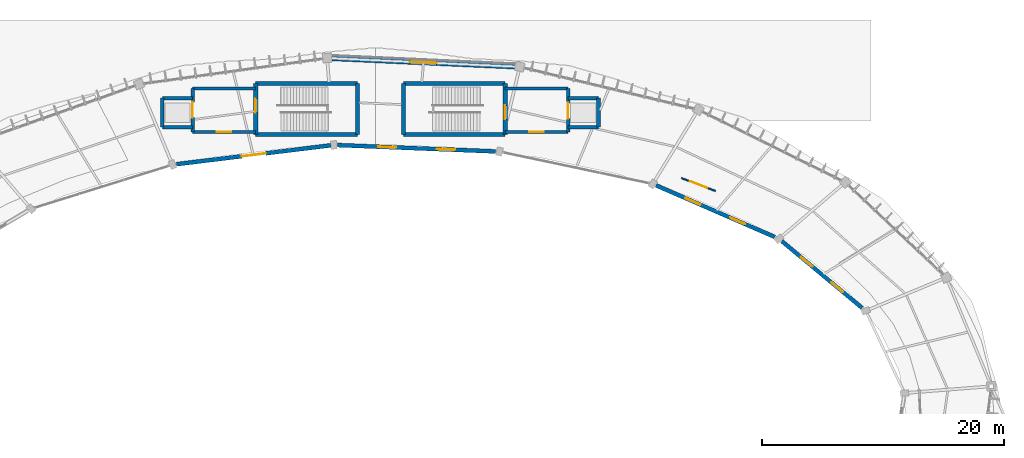
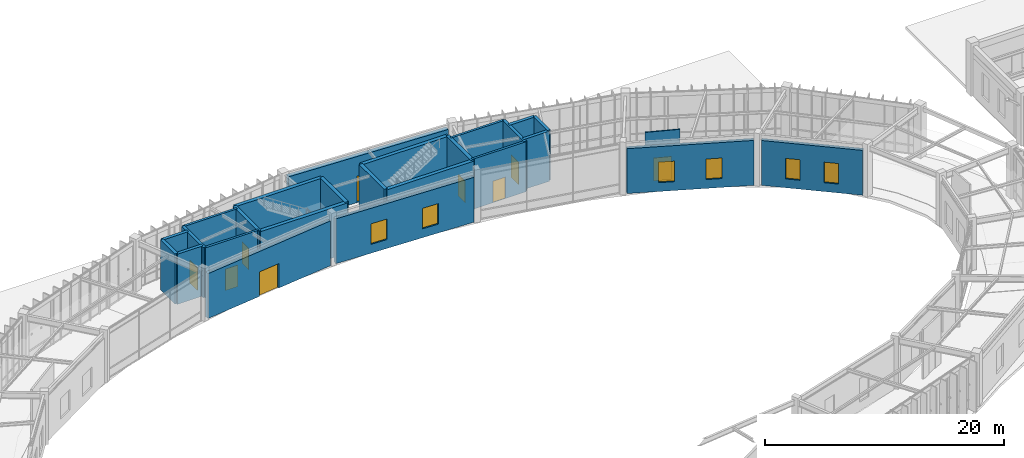
# One storey, part 131 of 157: 26 walls, 9 doors, 6 windows, 15 openings.
"""IFC4 building model written with IfcOpenShell, lengths in metres."""

from ifc_helpers import new_model, si_unit, direction, frame, frame_2d, origin, place, context, subcontext, project, spatial, rectangle, extrude, material, layer, layer_set, type_object, element, fill, save


model = new_model("IFC4")

# Units and contexts
model_context = context("Model", 3, precision=1e-05, world=origin(), true_north=direction((0.0, 1.0)))
body_context = subcontext(model_context, "Body", "Model", "MODEL_VIEW")
ifc_project = project(units=[si_unit("LENGTHUNIT", "METRE"), si_unit("AREAUNIT", "SQUARE_METRE"), si_unit("VOLUMEUNIT", "CUBIC_METRE"), si_unit("PLANEANGLEUNIT", "RADIAN"), si_unit("MASSUNIT", "GRAM", prefix="KILO"), si_unit("THERMODYNAMICTEMPERATUREUNIT", "KELVIN"), si_unit("POWERUNIT", "WATT")], contexts=[model_context])

# Site, building, storey
site_placement = place(None, origin())
site = spatial("IfcSite", under=ifc_project, at=site_placement, CompositionType="ELEMENT")
building_placement = place(site_placement, origin())
building = spatial("IfcBuilding", under=site, at=building_placement, Name="Darbajah Civic Hall", CompositionType="ELEMENT")
storey_placement = place(building_placement, origin())
storey = spatial("IfcBuildingStorey", under=building, at=storey_placement, Name="L00", CompositionType="ELEMENT", Elevation=0.0)

# Wall, opening, door
ifc_material_1 = material(Name="Concrete C45/55", Category="concrete")
ifc_layer_1 = layer(ifc_material_1, 0.300048828125, Name="Concrete C45/55")
ifc_layer_set_1 = layer_set([ifc_layer_1], Name="Concrete C45/55")
wall_type_1 = type_object("IfcWallType", Name="Core Shear Wall 300mm", PredefinedType="SHEAR", material=ifc_layer_set_1)
wall_1_placement = place(storey_placement, frame((74.0, 116.699951171875, 0.0), z_axis=(0.0, 0.0, 1.0), x_axis=(0.0, -1.0, 0.0)))
wall_1 = element("IfcWall", 1, at=wall_1_placement, inside=storey, type_object=wall_type_1, Name="L00 firefighting lobby C01 wall W", PredefinedType="SHEAR", context=body_context, shape_type="SweptSolid", body=[
    extrude(rectangle(XDim=3.599853515625, YDim=0.300048828125, at=frame_2d((1.7998046875, 0.0))), origin(), (0.0, 0.0, 1.0), 5.1201171875),
])
opening_1_placement = place(wall_1_placement, frame((1.10009765625, 0.0, 0.0)))
opening_1 = element("IfcOpeningElement", 2, at=opening_1_placement, cuts=wall_1, Name="Opening LD-0015", PredefinedType="OPENING", context=body_context, shape_type="SweptSolid", body=[
    extrude(rectangle(XDim=1.300048828125, YDim=2.300048828125, at=frame_2d((0.64990234375, 1.14990234375))), frame((0.0, 0.159912109375, 0.0), z_axis=(0.0, -1.0, 0.0), x_axis=(1.0, 0.0, 0.0)), (0.0, 0.0, 1.0), 0.320068359375),
])
ifc_material_2 = material(Name="Firefighting Lift Landing Door")
door_type_1 = type_object("IfcDoorType", Name="Lift Landing Door 1300x2300", OperationType="SLIDING_TO_LEFT", PredefinedType="DOOR", material=ifc_material_2)
door_1_placement = place(opening_1_placement, origin())
door_1 = element("IfcDoor", 3, at=door_1_placement, inside=storey, type_object=door_type_1, Name="L00 firefighting lift FL1 landing door LD-0015", OperationType="SLIDING_TO_LEFT", OverallHeight=2.300048828125, OverallWidth=1.300048828125, PredefinedType="DOOR", context=body_context, shape_type="SweptSolid", body=[
    extrude(rectangle(XDim=1.300048828125, YDim=2.300048828125, at=frame_2d((0.64990234375, 1.14990234375))), frame((0.0, 0.02490234375, 0.0), z_axis=(0.0, -1.0, 0.0), x_axis=(1.0, 0.0, 0.0)), (0.0, 0.0, 1.0), 0.050048828125),
])
fill(opening_1, door_1)

# Walls
for number, where, z_axis, x_axis, name in (
    (4, (74.0, 115.89990234375, 0.0), (0.0, 0.0, 1.0), (-1.0, 0.0, 0.0), "L00 lift FL1 shaft wall N"),
    (5, (71.5, 113.5, 0.0), (0.0, 0.0, 1.0), (1.0, 0.0, 0.0), "L00 lift FL1 shaft wall S"),
):
    element("IfcWall", number, at=place(storey_placement, frame(where, z_axis=z_axis, x_axis=x_axis)), inside=storey, type_object=wall_type_1, Name=name, PredefinedType="SHEAR", context=body_context, shape_type="SweptSolid", body=[
        extrude(rectangle(XDim=2.5, YDim=0.300048828125, at=frame_2d((1.25, 0.0))), origin(), (0.0, 0.0, 1.0), 5.1201171875),
    ])
wall_2_placement = place(storey_placement, frame((71.5, 115.89990234375, 0.0), z_axis=(0.0, 0.0, 1.0), x_axis=(0.0, -1.0, 0.0)))
element("IfcWall", 6, at=wall_2_placement, inside=storey, type_object=wall_type_1, Name="L00 lift FL1 shaft wall OUT", PredefinedType="SHEAR", context=body_context, shape_type="SweptSolid", body=[
    extrude(rectangle(XDim=2.39990234375, YDim=0.300048828125, at=frame_2d((1.199951171875, 0.0))), origin(), (0.0, 0.0, 1.0), 5.1201171875),
])

# Wall, opening, door
wall_3_placement = place(storey_placement, frame((105.0, 113.10009765625, 0.0), z_axis=(0.0, 0.0, 1.0), x_axis=(0.0, 1.0, 0.0)))
wall_3 = element("IfcWall", 7, at=wall_3_placement, inside=storey, type_object=wall_type_1, Name="L00 firefighting lobby C02 wall E", PredefinedType="SHEAR", context=body_context, shape_type="SweptSolid", body=[
    extrude(rectangle(XDim=3.599853515625, YDim=0.300048828125, at=frame_2d((1.7998046875, 0.0))), origin(), (0.0, 0.0, 1.0), 5.1201171875),
])
opening_2_placement = place(wall_3_placement, frame((1.10009765625, 0.0, 0.0)))
opening_2 = element("IfcOpeningElement", 8, at=opening_2_placement, cuts=wall_3, Name="Opening LD-0036", PredefinedType="OPENING", context=body_context, shape_type="SweptSolid", body=[
    extrude(rectangle(XDim=1.300048828125, YDim=2.300048828125, at=frame_2d((0.64990234375, 1.14990234375))), frame((0.0, 0.159912109375, 0.0), z_axis=(0.0, -1.0, 0.0), x_axis=(1.0, 0.0, 0.0)), (0.0, 0.0, 1.0), 0.320068359375),
])
door_2_placement = place(opening_2_placement, origin())
door_2 = element("IfcDoor", 9, at=door_2_placement, inside=storey, type_object=door_type_1, Name="L00 firefighting lift FL2 landing door LD-0036", OperationType="SLIDING_TO_LEFT", OverallHeight=2.300048828125, OverallWidth=1.300048828125, PredefinedType="DOOR", context=body_context, shape_type="SweptSolid", body=[
    extrude(rectangle(XDim=1.300048828125, YDim=2.300048828125, at=frame_2d((0.64990234375, 1.14990234375))), frame((0.0, 0.02490234375, 0.0), z_axis=(0.0, -1.0, 0.0), x_axis=(1.0, 0.0, 0.0)), (0.0, 0.0, 1.0), 0.050048828125),
])
fill(opening_2, door_2)

# Walls
for number, where, z_axis, x_axis, name in (
    (10, (107.5, 115.89990234375, 0.0), (0.0, 0.0, 1.0), (-1.0, 0.0, 0.0), "L00 lift FL2 shaft wall N"),
    (11, (105.0, 113.5, 0.0), (0.0, 0.0, 1.0), (1.0, 0.0, 0.0), "L00 lift FL2 shaft wall S"),
):
    element("IfcWall", number, at=place(storey_placement, frame(where, z_axis=z_axis, x_axis=x_axis)), inside=storey, type_object=wall_type_1, Name=name, PredefinedType="SHEAR", context=body_context, shape_type="SweptSolid", body=[
        extrude(rectangle(XDim=2.5, YDim=0.300048828125, at=frame_2d((1.25, 0.0))), origin(), (0.0, 0.0, 1.0), 5.1201171875),
    ])
wall_4_placement = place(storey_placement, frame((107.5, 113.5, 0.0), z_axis=(0.0, 0.0, 1.0), x_axis=(0.0, 1.0, 0.0)))
element("IfcWall", 12, at=wall_4_placement, inside=storey, type_object=wall_type_1, Name="L00 lift FL2 shaft wall OUT", PredefinedType="SHEAR", context=body_context, shape_type="SweptSolid", body=[
    extrude(rectangle(XDim=2.39990234375, YDim=0.300048828125, at=frame_2d((1.199951171875, 0.0))), origin(), (0.0, 0.0, 1.0), 5.1201171875),
])
ifc_material_3 = material(Name="Concrete C50/60", Category="concrete")
ifc_layer_2 = layer(ifc_material_3, 0.35009765625, Name="Concrete C50/60")
ifc_layer_set_2 = layer_set([ifc_layer_2], Name="Concrete C50/60")
wall_type_2 = type_object("IfcWallType", Name="Core Shear Wall 350mm", PredefinedType="SHEAR", material=ifc_layer_set_2)
wall_5_placement = place(storey_placement, frame((79.199951171875, 112.89990234375, 0.0), z_axis=(0.0, 0.0, 1.0), x_axis=(1.0, 0.0, 0.0)))
element("IfcWall", 13, at=wall_5_placement, inside=storey, type_object=wall_type_2, Name="L00 core C01 shear wall S", PredefinedType="SHEAR", context=body_context, shape_type="SweptSolid", body=[
    extrude(rectangle(XDim=8.400146484375, YDim=0.35009765625, at=frame_2d((4.2001953125, 0.0))), origin(), (0.0, 0.0, 1.0), 5.1201171875),
])
wall_6_placement = place(storey_placement, frame((87.60009765625, 112.89990234375, 0.0), z_axis=(0.0, 0.0, 1.0), x_axis=(0.0, 1.0, 0.0)))
element("IfcWall", 14, at=wall_6_placement, inside=storey, type_object=wall_type_2, Name="L00 core C01 shear wall E", PredefinedType="SHEAR", context=body_context, shape_type="SweptSolid", body=[
    extrude(rectangle(XDim=4.2001953125, YDim=0.35009765625, at=frame_2d((2.10009765625, 0.0))), origin(), (0.0, 0.0, 1.0), 5.1201171875),
])
wall_7_placement = place(storey_placement, frame((87.60009765625, 117.10009765625, 0.0), z_axis=(0.0, 0.0, 1.0), x_axis=(-1.0, 0.0, 0.0)))
element("IfcWall", 15, at=wall_7_placement, inside=storey, type_object=wall_type_2, Name="L00 core C01 shear wall N", PredefinedType="SHEAR", context=body_context, shape_type="SweptSolid", body=[
    extrude(rectangle(XDim=8.400146484375, YDim=0.35009765625, at=frame_2d((4.2001953125, 0.0))), origin(), (0.0, 0.0, 1.0), 5.1201171875),
])

# Wall, opening, door
wall_8_placement = place(storey_placement, frame((79.199951171875, 117.10009765625, 0.0), z_axis=(0.0, 0.0, 1.0), x_axis=(0.0, -1.0, 0.0)))
wall_8 = element("IfcWall", 16, at=wall_8_placement, inside=storey, type_object=wall_type_2, Name="L00 core C01 shear wall W", PredefinedType="SHEAR", context=body_context, shape_type="SweptSolid", body=[
    extrude(rectangle(XDim=4.2001953125, YDim=0.35009765625, at=frame_2d((2.10009765625, 0.0))), origin(), (0.0, 0.0, 1.0), 5.1201171875),
])
opening_3_placement = place(wall_8_placement, frame((1.25, 0.0, 0.0)))
opening_3 = element("IfcOpeningElement", 17, at=opening_3_placement, cuts=wall_8, Name="Opening SD-0001", PredefinedType="OPENING", context=body_context, shape_type="SweptSolid", body=[
    extrude(rectangle(XDim=1.14990234375, YDim=2.199951171875, at=frame_2d((0.574951171875, 1.10009765625))), frame((0.0, 0.18505859375, 0.0), z_axis=(0.0, -1.0, 0.0), x_axis=(1.0, 0.0, 0.0)), (0.0, 0.0, 1.0), 0.3701171875),
])
ifc_material_4 = material(Name="Steel Rated Core Door", Category="steel")
door_type_2 = type_object("IfcDoorType", Name="Interior Door 1150x2200", OperationType="NOTDEFINED", PredefinedType="DOOR", material=ifc_material_4)
door_3_placement = place(opening_3_placement, frame((1.14990234375, 0.0, 0.0), z_axis=(0.0, 0.0, 1.0), x_axis=(-1.0, 0.0, 0.0)))
door_3 = element("IfcDoor", 18, at=door_3_placement, inside=storey, type_object=door_type_2, Name="L00 stair ST01 fire door SD-0001", OperationType="SINGLE_SWING_RIGHT", OverallHeight=2.199951171875, OverallWidth=1.14990234375, PredefinedType="DOOR", context=body_context, shape_type="SweptSolid", body=[
    extrude(rectangle(XDim=1.14990234375, YDim=2.199951171875, at=frame_2d((0.574951171875, 1.10009765625))), frame((0.0, 0.02490234375, 0.0), z_axis=(0.0, -1.0, 0.0), x_axis=(1.0, 0.0, 0.0)), (0.0, 0.0, 1.0), 0.050048828125),
])
fill(opening_3, door_3)

# Wall
wall_9_placement = place(storey_placement, frame((91.39990234375, 112.89990234375, 0.0), z_axis=(0.0, 0.0, 1.0), x_axis=(1.0, 0.0, 0.0)))
element("IfcWall", 19, at=wall_9_placement, inside=storey, type_object=wall_type_2, Name="L00 core C02 shear wall S", PredefinedType="SHEAR", context=body_context, shape_type="SweptSolid", body=[
    extrude(rectangle(XDim=8.400146484375, YDim=0.35009765625, at=frame_2d((4.2001953125, 0.0))), origin(), (0.0, 0.0, 1.0), 5.1201171875),
])

# Wall, opening, door
wall_10_placement = place(storey_placement, frame((99.800048828125, 112.89990234375, 0.0), z_axis=(0.0, 0.0, 1.0), x_axis=(0.0, 1.0, 0.0)))
wall_10 = element("IfcWall", 20, at=wall_10_placement, inside=storey, type_object=wall_type_2, Name="L00 core C02 shear wall E", PredefinedType="SHEAR", context=body_context, shape_type="SweptSolid", body=[
    extrude(rectangle(XDim=4.2001953125, YDim=0.35009765625, at=frame_2d((2.10009765625, 0.0))), origin(), (0.0, 0.0, 1.0), 5.1201171875),
])
opening_4_placement = place(wall_10_placement, frame((1.25, 0.0, 0.0)))
opening_4 = element("IfcOpeningElement", 21, at=opening_4_placement, cuts=wall_10, Name="Opening SD-0022", PredefinedType="OPENING", context=body_context, shape_type="SweptSolid", body=[
    extrude(rectangle(XDim=1.14990234375, YDim=2.199951171875, at=frame_2d((0.574951171875, 1.10009765625))), frame((0.0, 0.18505859375, 0.0), z_axis=(0.0, -1.0, 0.0), x_axis=(1.0, 0.0, 0.0)), (0.0, 0.0, 1.0), 0.3701171875),
])
door_4_placement = place(opening_4_placement, frame((1.14990234375, 0.0, 0.0), z_axis=(0.0, 0.0, 1.0), x_axis=(-1.0, 0.0, 0.0)))
door_4 = element("IfcDoor", 22, at=door_4_placement, inside=storey, type_object=door_type_2, Name="L00 stair ST02 fire door SD-0022", OperationType="SINGLE_SWING_LEFT", OverallHeight=2.199951171875, OverallWidth=1.14990234375, PredefinedType="DOOR", context=body_context, shape_type="SweptSolid", body=[
    extrude(rectangle(XDim=1.14990234375, YDim=2.199951171875, at=frame_2d((0.574951171875, 1.10009765625))), frame((0.0, 0.02490234375, 0.0), z_axis=(0.0, -1.0, 0.0), x_axis=(1.0, 0.0, 0.0)), (0.0, 0.0, 1.0), 0.050048828125),
])
fill(opening_4, door_4)

# Walls
wall_11_placement = place(storey_placement, frame((99.800048828125, 117.10009765625, 0.0), z_axis=(0.0, 0.0, 1.0), x_axis=(-1.0, 0.0, 0.0)))
element("IfcWall", 23, at=wall_11_placement, inside=storey, type_object=wall_type_2, Name="L00 core C02 shear wall N", PredefinedType="SHEAR", context=body_context, shape_type="SweptSolid", body=[
    extrude(rectangle(XDim=8.400146484375, YDim=0.35009765625, at=frame_2d((4.2001953125, 0.0))), origin(), (0.0, 0.0, 1.0), 5.1201171875),
])
wall_12_placement = place(storey_placement, frame((91.39990234375, 117.10009765625, 0.0), z_axis=(0.0, 0.0, 1.0), x_axis=(0.0, -1.0, 0.0)))
element("IfcWall", 24, at=wall_12_placement, inside=storey, type_object=wall_type_2, Name="L00 core C02 shear wall W", PredefinedType="SHEAR", context=body_context, shape_type="SweptSolid", body=[
    extrude(rectangle(XDim=4.2001953125, YDim=0.35009765625, at=frame_2d((2.10009765625, 0.0))), origin(), (0.0, 0.0, 1.0), 5.1201171875),
])

# Wall, openings, windows
ifc_material_5 = material(Name="Qatari Desert Limestone Ashlar", Category="masonry")
ifc_layer_3 = layer(ifc_material_5, 0.340087890625, Name="Qatari Desert Limestone Ashlar")
ifc_layer_set_3 = layer_set([ifc_layer_3], Name="Qatari Desert Limestone Ashlar")
wall_type_3 = type_object("IfcWallType", Name="Exterior Wall 340mm", PredefinedType="SOLIDWALL", material=ifc_layer_set_3)
wall_13_placement = place(storey_placement, frame((129.268798828125, 98.580810546875, 0.0), z_axis=(0.0, 0.0, 1.0), x_axis=(-0.769175157115, 0.639038009572, 0.0)))
wall_13 = element("IfcWall", 25, at=wall_13_placement, inside=storey, type_object=wall_type_3, Name="L00 exterior wall EW-340", PredefinedType="SOLIDWALL", context=body_context, shape_type="SweptSolid", body=[
    extrude(rectangle(XDim=8.61474609375, YDim=0.340087890625, at=frame_2d((4.307373046875, 0.0))), origin(), (0.0, 0.0, 1.0), 4.5869140625),
])
opening_5_placement = place(wall_13_placement, frame((2.071533203125, 0.0, 0.89990234375)))
opening_5 = element("IfcOpeningElement", 26, at=opening_5_placement, cuts=wall_13, Name="Opening WN-01", PredefinedType="OPENING", context=body_context, shape_type="SweptSolid", body=[
    extrude(rectangle(XDim=1.199951171875, YDim=2.10009765625, at=frame_2d((0.60009765625, 1.050048828125))), frame((0.0, 0.179931640625, 0.0), z_axis=(0.0, -1.0, 0.0), x_axis=(1.0, 0.0, 0.0)), (0.0, 0.0, 1.0), 0.360107421875),
])
opening_6_placement = place(wall_13_placement, frame((5.34326171875, 0.0, 0.89990234375)))
opening_6 = element("IfcOpeningElement", 27, at=opening_6_placement, cuts=wall_13, Name="Opening WN-01", PredefinedType="OPENING", context=body_context, shape_type="SweptSolid", body=[
    extrude(rectangle(XDim=1.199951171875, YDim=2.10009765625, at=frame_2d((0.60009765625, 1.050048828125))), frame((0.0, 0.179931640625, 0.0), z_axis=(0.0, -1.0, 0.0), x_axis=(1.0, 0.0, 0.0)), (0.0, 0.0, 1.0), 0.360107421875),
])
ifc_material_6 = material(Name="Low-E Solar Control Double Glazing", Category="glass")
window_type_1 = type_object("IfcWindowType", Name="Facade Window 1200x2100", PartitioningType="SINGLE_PANEL", PredefinedType="WINDOW", material=ifc_material_6)
window_1_placement = place(opening_5_placement, origin())
window_1 = element("IfcWindow", 28, at=window_1_placement, inside=storey, type_object=window_type_1, Name="L00 facade window WN-01", OverallHeight=2.10009765625, OverallWidth=1.199951171875, PartitioningType="SINGLE_PANEL", PredefinedType="WINDOW", context=body_context, shape_type="SweptSolid", body=[
    extrude(rectangle(XDim=1.199951171875, YDim=2.10009765625, at=frame_2d((0.60009765625, 1.050048828125))), frame((0.0, 0.030029296875, 0.0), z_axis=(0.0, -1.0, 0.0), x_axis=(1.0, 0.0, 0.0)), (0.0, 0.0, 1.0), 0.06005859375),
])
fill(opening_5, window_1)
window_2_placement = place(opening_6_placement, origin())
window_2 = element("IfcWindow", 29, at=window_2_placement, inside=storey, type_object=window_type_1, Name="L00 facade window WN-01", OverallHeight=2.10009765625, OverallWidth=1.199951171875, PartitioningType="SINGLE_PANEL", PredefinedType="WINDOW", context=body_context, shape_type="SweptSolid", body=[
    extrude(rectangle(XDim=1.199951171875, YDim=2.10009765625, at=frame_2d((0.60009765625, 1.050048828125))), frame((0.0, 0.030029296875, 0.0), z_axis=(0.0, -1.0, 0.0), x_axis=(1.0, 0.0, 0.0)), (0.0, 0.0, 1.0), 0.06005859375),
])
fill(opening_6, window_2)

wall_14_placement = place(storey_placement, frame((122.05712890625, 104.434326171875, 0.0), z_axis=(0.0, 0.0, 1.0), x_axis=(-0.917054434461, 0.398762039613, 0.0)))
wall_14 = element("IfcWall", 30, at=wall_14_placement, inside=storey, type_object=wall_type_3, Name="L00 exterior wall EW-340", PredefinedType="SOLIDWALL", context=body_context, shape_type="SweptSolid", body=[
    extrude(rectangle(XDim=10.684326171875, YDim=0.340087890625, at=frame_2d((5.34228515625, 0.0))), origin(), (0.0, 0.0, 1.0), 4.5869140625),
])
opening_7_placement = place(wall_14_placement, frame((2.66162109375, 0.0, 0.89990234375)))
opening_7 = element("IfcOpeningElement", 31, at=opening_7_placement, cuts=wall_14, Name="Opening WN-02", PredefinedType="OPENING", context=body_context, shape_type="SweptSolid", body=[
    extrude(rectangle(XDim=1.35009765625, YDim=2.10009765625, at=frame_2d((0.675048828125, 1.050048828125))), frame((0.0, 0.179931640625, 0.0), z_axis=(0.0, -1.0, 0.0), x_axis=(1.0, 0.0, 0.0)), (0.0, 0.0, 1.0), 0.360107421875),
])
opening_8_placement = place(wall_14_placement, frame((6.673095703125, 0.0, 0.89990234375)))
opening_8 = element("IfcOpeningElement", 32, at=opening_8_placement, cuts=wall_14, Name="Opening WN-02", PredefinedType="OPENING", context=body_context, shape_type="SweptSolid", body=[
    extrude(rectangle(XDim=1.35009765625, YDim=2.10009765625, at=frame_2d((0.675048828125, 1.050048828125))), frame((0.0, 0.179931640625, 0.0), z_axis=(0.0, -1.0, 0.0), x_axis=(1.0, 0.0, 0.0)), (0.0, 0.0, 1.0), 0.360107421875),
])
window_type_2 = type_object("IfcWindowType", Name="Facade Window 1350x2100", PartitioningType="SINGLE_PANEL", PredefinedType="WINDOW", material=ifc_material_6)
window_3_placement = place(opening_7_placement, origin())
window_3 = element("IfcWindow", 33, at=window_3_placement, inside=storey, type_object=window_type_2, Name="L00 facade window WN-02", OverallHeight=2.10009765625, OverallWidth=1.35009765625, PartitioningType="SINGLE_PANEL", PredefinedType="WINDOW", context=body_context, shape_type="SweptSolid", body=[
    extrude(rectangle(XDim=1.35009765625, YDim=2.10009765625, at=frame_2d((0.675048828125, 1.050048828125))), frame((0.0, 0.030029296875, 0.0), z_axis=(0.0, -1.0, 0.0), x_axis=(1.0, 0.0, 0.0)), (0.0, 0.0, 1.0), 0.06005859375),
])
fill(opening_7, window_3)
window_4_placement = place(opening_8_placement, origin())
window_4 = element("IfcWindow", 34, at=window_4_placement, inside=storey, type_object=window_type_2, Name="L00 facade window WN-02", OverallHeight=2.10009765625, OverallWidth=1.35009765625, PartitioningType="SINGLE_PANEL", PredefinedType="WINDOW", context=body_context, shape_type="SweptSolid", body=[
    extrude(rectangle(XDim=1.35009765625, YDim=2.10009765625, at=frame_2d((0.675048828125, 1.050048828125))), frame((0.0, 0.030029296875, 0.0), z_axis=(0.0, -1.0, 0.0), x_axis=(1.0, 0.0, 0.0)), (0.0, 0.0, 1.0), 0.06005859375),
])
fill(opening_8, window_4)

wall_15_placement = place(storey_placement, frame((99.010009765625, 111.496337890625, 0.0), z_axis=(0.0, 0.0, 1.0), x_axis=(-0.999197911134, 0.040044155435, 0.0)))
wall_15 = element("IfcWall", 35, at=wall_15_placement, inside=storey, type_object=wall_type_3, Name="L00 exterior wall EW-340", PredefinedType="SOLIDWALL", context=body_context, shape_type="SweptSolid", body=[
    extrude(rectangle(XDim=13.0654296875, YDim=0.340087890625, at=frame_2d((6.53271484375, 0.0))), origin(), (0.0, 0.0, 1.0), 4.5869140625),
])
opening_9_placement = place(wall_15_placement, frame((3.355224609375, 0.0, 0.89990234375)))
opening_9 = element("IfcOpeningElement", 36, at=opening_9_placement, cuts=wall_15, Name="Opening WN-03", PredefinedType="OPENING", context=body_context, shape_type="SweptSolid", body=[
    extrude(rectangle(XDim=1.5, YDim=2.10009765625, at=frame_2d((0.75, 1.050048828125))), frame((0.0, 0.179931640625, 0.0), z_axis=(0.0, -1.0, 0.0), x_axis=(1.0, 0.0, 0.0)), (0.0, 0.0, 1.0), 0.360107421875),
])
opening_10_placement = place(wall_15_placement, frame((8.210205078125, 0.0, 0.89990234375)))
opening_10 = element("IfcOpeningElement", 37, at=opening_10_placement, cuts=wall_15, Name="Opening WN-03", PredefinedType="OPENING", context=body_context, shape_type="SweptSolid", body=[
    extrude(rectangle(XDim=1.5, YDim=2.10009765625, at=frame_2d((0.75, 1.050048828125))), frame((0.0, 0.179931640625, 0.0), z_axis=(0.0, -1.0, 0.0), x_axis=(1.0, 0.0, 0.0)), (0.0, 0.0, 1.0), 0.360107421875),
])
window_type_3 = type_object("IfcWindowType", Name="Facade Window 1500x2100", PartitioningType="SINGLE_PANEL", PredefinedType="WINDOW", material=ifc_material_6)
window_5_placement = place(opening_9_placement, origin())
window_5 = element("IfcWindow", 38, at=window_5_placement, inside=storey, type_object=window_type_3, Name="L00 facade window WN-03", OverallHeight=2.10009765625, OverallWidth=1.5, PartitioningType="SINGLE_PANEL", PredefinedType="WINDOW", context=body_context, shape_type="SweptSolid", body=[
    extrude(rectangle(XDim=1.5, YDim=2.10009765625, at=frame_2d((0.75, 1.050048828125))), frame((0.0, 0.030029296875, 0.0), z_axis=(0.0, -1.0, 0.0), x_axis=(1.0, 0.0, 0.0)), (0.0, 0.0, 1.0), 0.06005859375),
])
fill(opening_9, window_5)
window_6_placement = place(opening_10_placement, origin())
window_6 = element("IfcWindow", 39, at=window_6_placement, inside=storey, type_object=window_type_3, Name="L00 facade window WN-03", OverallHeight=2.10009765625, OverallWidth=1.5, PartitioningType="SINGLE_PANEL", PredefinedType="WINDOW", context=body_context, shape_type="SweptSolid", body=[
    extrude(rectangle(XDim=1.5, YDim=2.10009765625, at=frame_2d((0.75, 1.050048828125))), frame((0.0, 0.030029296875, 0.0), z_axis=(0.0, -1.0, 0.0), x_axis=(1.0, 0.0, 0.0)), (0.0, 0.0, 1.0), 0.06005859375),
])
fill(opening_10, window_6)

# Wall, opening, door
wall_16_placement = place(storey_placement, frame((85.398681640625, 111.998779296875, 0.0), z_axis=(0.0, 0.0, 1.0), x_axis=(-0.992613415979, -0.121320263845, 0.0)))
wall_16 = element("IfcWall", 40, at=wall_16_placement, inside=storey, type_object=wall_type_3, Name="L00 exterior wall EW-340", PredefinedType="SOLIDWALL", context=body_context, shape_type="SweptSolid", body=[
    extrude(rectangle(XDim=12.82080078125, YDim=0.340087890625, at=frame_2d((6.410400390625, 0.0))), origin(), (0.0, 0.0, 1.0), 4.5869140625),
])
opening_11_placement = place(wall_16_placement, frame((5.410400390625, 0.0, 0.0)))
opening_11 = element("IfcOpeningElement", 41, at=opening_11_placement, cuts=wall_16, Name="Opening E-002", PredefinedType="OPENING", context=body_context, shape_type="SweptSolid", body=[
    extrude(rectangle(XDim=2.0, YDim=2.5, at=frame_2d((1.0, 1.25))), frame((0.0, 0.179931640625, 0.0), z_axis=(0.0, -1.0, 0.0), x_axis=(1.0, 0.0, 0.0)), (0.0, 0.0, 1.0), 0.360107421875),
])
ifc_material_7 = material(Name="Anodised Bronze Aluminium and Laminated Glass", Category="aluminium")
door_type_3 = type_object("IfcDoorType", Name="Exterior Door 2000x2500", OperationType="NOTDEFINED", PredefinedType="DOOR", material=ifc_material_7)
door_5_placement = place(opening_11_placement, origin())
door_5 = element("IfcDoor", 42, at=door_5_placement, inside=storey, type_object=door_type_3, Name="Courtyard Pedestrian Exit E-002", OperationType="DOUBLE_DOOR_SINGLE_SWING", OverallHeight=2.5, OverallWidth=2.0, PredefinedType="DOOR", context=body_context, shape_type="SweptSolid", body=[
    extrude(rectangle(XDim=2.0, YDim=2.5, at=frame_2d((1.0, 1.25))), frame((0.0, 0.02490234375, 0.0), z_axis=(0.0, -1.0, 0.0), x_axis=(1.0, 0.0, 0.0)), (0.0, 0.0, 1.0), 0.050048828125),
])
fill(opening_11, door_5)

ifc_layer_4 = layer(ifc_material_5, 0.419921875, Name="Qatari Desert Limestone Ashlar")
ifc_layer_set_4 = layer_set([ifc_layer_4], Name="Qatari Desert Limestone Ashlar")
wall_type_4 = type_object("IfcWallType", Name="Exterior Wall 420mm", PredefinedType="SOLIDWALL", material=ifc_layer_set_4)
wall_17_placement = place(storey_placement, frame((100.565185546875, 118.5048828125, 0.0), z_axis=(0.0, 0.0, 1.0), x_axis=(-0.998965128477, 0.045482656993, 0.0)))
wall_17 = element("IfcWall", 43, at=wall_17_placement, inside=storey, type_object=wall_type_4, Name="L00 exterior wall EW-420", PredefinedType="SOLIDWALL", context=body_context, shape_type="SweptSolid", body=[
    extrude(rectangle(XDim=15.06201171875, YDim=0.419921875, at=frame_2d((7.531005859375, 0.0))), origin(), (0.0, 0.0, 1.0), 4.719970703125),
])
opening_12_placement = place(wall_17_placement, frame((6.430908203125, 0.0, 0.0)))
opening_12 = element("IfcOpeningElement", 44, at=opening_12_placement, cuts=wall_17, Name="Opening E-001", PredefinedType="OPENING", context=body_context, shape_type="SweptSolid", body=[
    extrude(rectangle(XDim=2.199951171875, YDim=2.699951171875, at=frame_2d((1.10009765625, 1.35009765625))), frame((0.0, 0.219970703125, 0.0), z_axis=(0.0, -1.0, 0.0), x_axis=(1.0, 0.0, 0.0)), (0.0, 0.0, 1.0), 0.43994140625),
])
door_type_4 = type_object("IfcDoorType", Name="Exterior Door 2200x2700", OperationType="NOTDEFINED", PredefinedType="DOOR", material=ifc_material_7)
door_6_placement = place(opening_12_placement, frame((2.199951171875, 0.0, 0.0), z_axis=(0.0, 0.0, 1.0), x_axis=(-1.0, 0.0, 0.0)))
door_6 = element("IfcDoor", 45, at=door_6_placement, inside=storey, type_object=door_type_4, Name="North Escarpment Final Exit E-001", OperationType="DOUBLE_DOOR_SINGLE_SWING", OverallHeight=2.699951171875, OverallWidth=2.199951171875, PredefinedType="DOOR", context=body_context, shape_type="SweptSolid", body=[
    extrude(rectangle(XDim=2.199951171875, YDim=2.699951171875, at=frame_2d((1.10009765625, 1.35009765625))), frame((0.0, 0.02490234375, 0.0), z_axis=(0.0, -1.0, 0.0), x_axis=(1.0, 0.0, 0.0)), (0.0, 0.0, 1.0), 0.050048828125),
])
fill(opening_12, door_6)

ifc_layer_5 = layer(ifc_material_1, 0.219970703125, Name="Concrete C45/55")
ifc_layer_set_5 = layer_set([ifc_layer_5], Name="Concrete C45/55")
wall_type_5 = type_object("IfcWallType", Name="Firefighting Shaft Wall 220mm", PredefinedType="SOLIDWALL", material=ifc_layer_set_5)
wall_18_placement = place(storey_placement, frame((74.0, 113.10009765625, 0.0), z_axis=(0.0, 0.0, 1.0), x_axis=(1.0, 0.0, 0.0)))
wall_18 = element("IfcWall", 46, at=wall_18_placement, inside=storey, type_object=wall_type_5, Name="L00 firefighting lobby C01 wall S", PredefinedType="SOLIDWALL", context=body_context, shape_type="SweptSolid", body=[
    extrude(rectangle(XDim=5.199951171875, YDim=0.219970703125, at=frame_2d((2.60009765625, 0.0))), origin(), (0.0, 0.0, 1.0), 5.1201171875),
])
opening_13_placement = place(wall_18_placement, frame((2.0, 0.0, 0.0)))
opening_13 = element("IfcOpeningElement", 47, at=opening_13_placement, cuts=wall_18, Name="Opening FD-0002", PredefinedType="OPENING", context=body_context, shape_type="SweptSolid", body=[
    extrude(rectangle(XDim=1.199951171875, YDim=2.199951171875, at=frame_2d((0.60009765625, 1.10009765625))), frame((0.0, 0.119873046875, 0.0), z_axis=(0.0, -1.0, 0.0), x_axis=(1.0, 0.0, 0.0)), (0.0, 0.0, 1.0), 0.239990234375),
])
ifc_material_8 = material(Name="Painted Hardwood Fire Door", Category="wood")
door_type_5 = type_object("IfcDoorType", Name="Interior Door 1200x2200", OperationType="NOTDEFINED", PredefinedType="DOOR", material=ifc_material_8)
door_7_placement = place(opening_13_placement, origin())
door_7 = element("IfcDoor", 48, at=door_7_placement, inside=storey, type_object=door_type_5, Name="L00 firefighting lobby C01 entrance door FD-0002", OperationType="SINGLE_SWING_LEFT", OverallHeight=2.199951171875, OverallWidth=1.199951171875, PredefinedType="DOOR", context=body_context, shape_type="SweptSolid", body=[
    extrude(rectangle(XDim=1.199951171875, YDim=2.199951171875, at=frame_2d((0.60009765625, 1.10009765625))), frame((0.0, 0.02490234375, 0.0), z_axis=(0.0, -1.0, 0.0), x_axis=(1.0, 0.0, 0.0)), (0.0, 0.0, 1.0), 0.050048828125),
])
fill(opening_13, door_7)

# Wall
wall_19_placement = place(storey_placement, frame((79.199951171875, 116.699951171875, 0.0), z_axis=(0.0, 0.0, 1.0), x_axis=(-1.0, 0.0, 0.0)))
element("IfcWall", 49, at=wall_19_placement, inside=storey, type_object=wall_type_5, Name="L00 firefighting lobby C01 wall N", PredefinedType="SOLIDWALL", context=body_context, shape_type="SweptSolid", body=[
    extrude(rectangle(XDim=5.199951171875, YDim=0.219970703125, at=frame_2d((2.60009765625, 0.0))), origin(), (0.0, 0.0, 1.0), 5.1201171875),
])

# Wall, opening, door
wall_20_placement = place(storey_placement, frame((99.800048828125, 113.10009765625, 0.0), z_axis=(0.0, 0.0, 1.0), x_axis=(1.0, 0.0, 0.0)))
wall_20 = element("IfcWall", 50, at=wall_20_placement, inside=storey, type_object=wall_type_5, Name="L00 firefighting lobby C02 wall S", PredefinedType="SOLIDWALL", context=body_context, shape_type="SweptSolid", body=[
    extrude(rectangle(XDim=5.199951171875, YDim=0.219970703125, at=frame_2d((2.60009765625, 0.0))), origin(), (0.0, 0.0, 1.0), 5.1201171875),
])
opening_14_placement = place(wall_20_placement, frame((2.0, 0.0, 0.0)))
opening_14 = element("IfcOpeningElement", 51, at=opening_14_placement, cuts=wall_20, Name="Opening FD-0023", PredefinedType="OPENING", context=body_context, shape_type="SweptSolid", body=[
    extrude(rectangle(XDim=1.199951171875, YDim=2.199951171875, at=frame_2d((0.60009765625, 1.10009765625))), frame((0.0, 0.119873046875, 0.0), z_axis=(0.0, -1.0, 0.0), x_axis=(1.0, 0.0, 0.0)), (0.0, 0.0, 1.0), 0.239990234375),
])
door_8_placement = place(opening_14_placement, origin())
door_8 = element("IfcDoor", 52, at=door_8_placement, inside=storey, type_object=door_type_5, Name="L00 firefighting lobby C02 entrance door FD-0023", OperationType="SINGLE_SWING_RIGHT", OverallHeight=2.199951171875, OverallWidth=1.199951171875, PredefinedType="DOOR", context=body_context, shape_type="SweptSolid", body=[
    extrude(rectangle(XDim=1.199951171875, YDim=2.199951171875, at=frame_2d((0.60009765625, 1.10009765625))), frame((0.0, 0.02490234375, 0.0), z_axis=(0.0, -1.0, 0.0), x_axis=(1.0, 0.0, 0.0)), (0.0, 0.0, 1.0), 0.050048828125),
])
fill(opening_14, door_8)

# Wall
wall_21_placement = place(storey_placement, frame((105.0, 116.699951171875, 0.0), z_axis=(0.0, 0.0, 1.0), x_axis=(-1.0, 0.0, 0.0)))
element("IfcWall", 53, at=wall_21_placement, inside=storey, type_object=wall_type_5, Name="L00 firefighting lobby C02 wall N", PredefinedType="SOLIDWALL", context=body_context, shape_type="SweptSolid", body=[
    extrude(rectangle(XDim=5.199951171875, YDim=0.219970703125, at=frame_2d((2.60009765625, 0.0))), origin(), (0.0, 0.0, 1.0), 5.1201171875),
])

# Wall, opening, door
ifc_material_9 = material(Name="Acoustic Gypsum Partition")
ifc_layer_6 = layer(ifc_material_9, 0.114990234375, Name="Acoustic Gypsum Partition")
ifc_layer_set_6 = layer_set([ifc_layer_6], Name="Acoustic Gypsum Partition")
wall_type_6 = type_object("IfcWallType", Name="Interior Partition 115mm", PredefinedType="PARTITIONING", material=ifc_layer_set_6)
wall_22_placement = place(storey_placement, frame((117.144287109375, 108.23046875, 0.0), z_axis=(0.0, 0.0, 1.0), x_axis=(-0.933476953977, 0.35863738845, 0.0)))
wall_22 = element("IfcWall", 54, at=wall_22_placement, inside=storey, type_object=wall_type_6, Name="L00 interior partition L00-V1-03", PredefinedType="PARTITIONING", context=body_context, shape_type="SweptSolid", body=[
    extrude(rectangle(XDim=2.96875, YDim=0.114990234375, at=frame_2d((1.484375, 0.0))), origin(), (0.0, 0.0, 1.0), 5.06005859375),
])
opening_15_placement = place(wall_22_placement, frame((0.734375, 0.0, 0.0)))
opening_15 = element("IfcOpeningElement", 55, at=opening_15_placement, cuts=wall_22, Name="Opening D-0154", PredefinedType="OPENING", context=body_context, shape_type="SweptSolid", body=[
    extrude(rectangle(XDim=1.5, YDim=2.35009765625, at=frame_2d((0.75, 1.175048828125))), frame((0.0, 0.0673828125, 0.0), z_axis=(0.0, -1.0, 0.0), x_axis=(1.0, 0.0, 0.0)), (0.0, 0.0, 1.0), 0.135009765625),
])
ifc_material_10 = material(Name="Committee Chamber Double Door")
door_type_6 = type_object("IfcDoorType", Name="Interior Door 1500x2350", OperationType="NOTDEFINED", PredefinedType="DOOR", material=ifc_material_10)
door_9_placement = place(opening_15_placement, origin())
door_9 = element("IfcDoor", 56, at=door_9_placement, inside=storey, type_object=door_type_6, Name="L00 L00-V1-03 door D-0154", OperationType="DOUBLE_DOOR_SINGLE_SWING", OverallHeight=2.35009765625, OverallWidth=1.5, PredefinedType="DOOR", context=body_context, shape_type="SweptSolid", body=[
    extrude(rectangle(XDim=1.5, YDim=2.35009765625, at=frame_2d((0.75, 1.175048828125))), frame((0.0, 0.02490234375, 0.0), z_axis=(0.0, -1.0, 0.0), x_axis=(1.0, 0.0, 0.0)), (0.0, 0.0, 1.0), 0.050048828125),
])
fill(opening_15, door_9)

save(model, "model.ifc")
